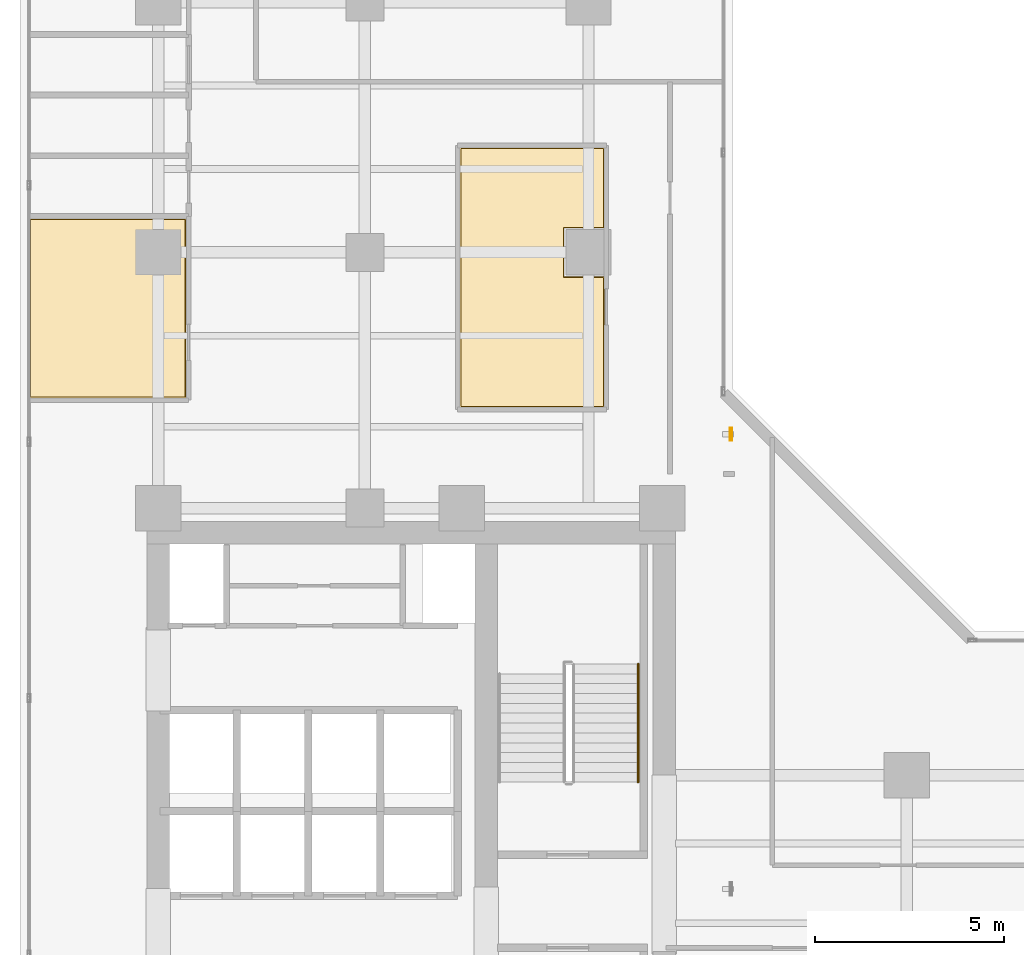
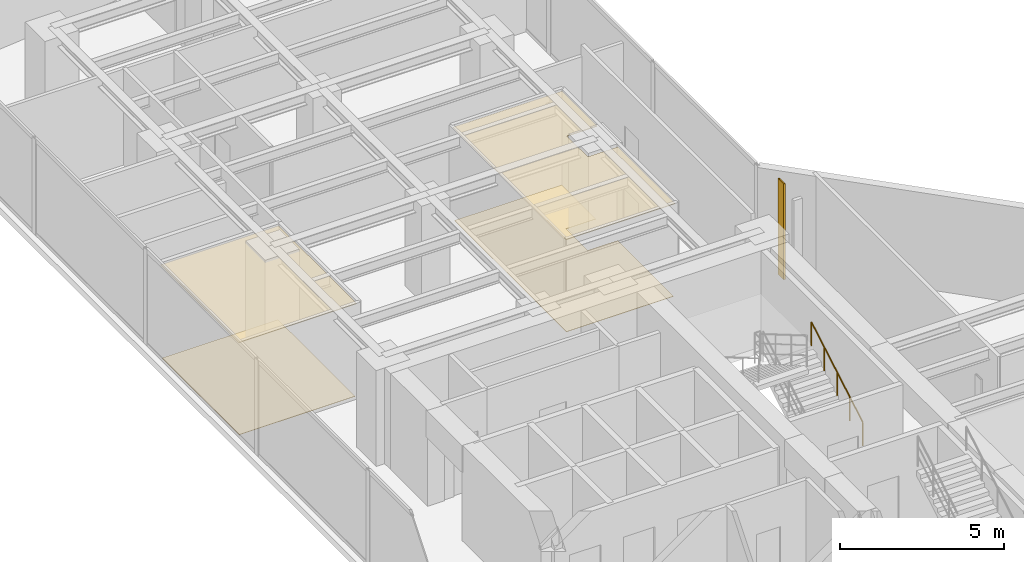
# One storey, part 24 of 26: 4 coverings, 1 railing, 1 shading device.
"""IFC4 building model written with IfcOpenShell, lengths in metres."""

from ifc_helpers import new_model, si_unit, direction, frame, origin, origin_2d, place, context, subcontext, project, spatial, polyline, hollow_rectangle, circle, outline, extrude, material, layer, layer_set, material_profile, profile_set, type_object, element, save


model = new_model("IFC4")

# Units and contexts
model_context = context("Model", 3, precision=1e-05, world=origin(), true_north=direction((0.0, 1.0)))
body_context = subcontext(model_context, "Body", "Model", "MODEL_VIEW")
ifc_project = project(units=[si_unit("LENGTHUNIT", "METRE"), si_unit("AREAUNIT", "SQUARE_METRE"), si_unit("VOLUMEUNIT", "CUBIC_METRE"), si_unit("PLANEANGLEUNIT", "RADIAN"), si_unit("MASSUNIT", "GRAM", prefix="KILO")], contexts=[model_context])

# Site, building, storey
site_placement = place(None, origin())
site = spatial("IfcSite", under=ifc_project, at=site_placement, CompositionType="ELEMENT")
building_placement = place(site_placement, origin())
building = spatial("IfcBuilding", under=site, at=building_placement, Name="Kolvaren Waterfront Exchange", CompositionType="ELEMENT")
storey_placement = place(building_placement, frame((0.0, 0.0, 180.39990234375)))
storey = spatial("IfcBuildingStorey", under=building, at=storey_placement, Name="L46", CompositionType="ELEMENT", Elevation=180.39990234375)

# Coverings
ifc_material_1 = material(Name="Mineral fibre acoustic ceiling tile")
ifc_layer_1 = layer(ifc_material_1, 0.02490234375, Name="Mineral fibre acoustic ceiling tile")
ifc_layer_set_1 = layer_set([ifc_layer_1], Name="Mineral fibre acoustic ceiling tile")
covering_type_1 = type_object("IfcCoveringType", Name="ARC-CEIL-ACOUSTIC-25", PredefinedType="CEILING", material=ifc_layer_set_1)
covering_1_placement = place(storey_placement, frame((0.0, 0.0, 3.445068359375)))
element("IfcCovering", 1, at=covering_1_placement, inside=storey, type_object=covering_type_1, Name="L46 acoustic suspended ceiling 1", PredefinedType="CEILING", context=body_context, shape_type="SweptSolid", body=[
    extrude(outline(polyline([(19.22509765625, 30.56005859375), (18.159912109375, 30.56005859375), (18.159912109375, 31.840087890625), (19.22509765625, 31.840087890625), (19.22509765625, 33.97509765625), (15.39501953125, 33.97509765625), (15.39501953125, 27.094970703125), (19.22509765625, 27.094970703125), (19.22509765625, 30.56005859375)])), origin(), (0.0, 0.0, 1.0), 0.025146484375),
])
covering_2_placement = place(storey_placement, frame((0.0, 0.0, 3.445068359375)))
element("IfcCovering", 2, at=covering_2_placement, inside=storey, type_object=covering_type_1, Name="L46 acoustic suspended ceiling 2", PredefinedType="CEILING", context=body_context, shape_type="SweptSolid", body=[
    extrude(outline(polyline([(8.18505859375, 27.344970703125), (8.18505859375, 32.10498046875), (4.044921875, 32.10498046875), (4.044921875, 27.344970703125), (8.18505859375, 27.344970703125)])), origin(), (0.0, 0.0, 1.0), 0.025146484375),
])

# Shading device
ifc_material_2 = material(Name="Anodised bronze aluminium 6063-T6", Category="aluminium")
ifc_material_profile = material_profile(ifc_material_2, hollow_rectangle(XDim=0.06005859375, YDim=0.35009765625, WallThickness=0.0048828125, at=origin_2d()), Name="BRZ-FIN-350x60x5")
ifc_profile_set = profile_set([ifc_material_profile], Name="Anodised bronze aluminium 6063-T6")
shading_device_type = type_object("IfcShadingDeviceType", Name="ARC-FIN-350", PredefinedType="USERDEFINED", material=ifc_profile_set)
shading_device_placement = place(storey_placement, frame((22.56005859375, 26.39990234375, 0.0), z_axis=(0.0, 0.0, 1.0), x_axis=(1.0, 0.0, 0.0)))
element("IfcShadingDevice", 3, at=shading_device_placement, inside=storey, type_object=shading_device_type, Name="L46 anodised bronze solar shading fin FIN-L46-E2", ObjectType="SOLAR FIN", PredefinedType="USERDEFINED", context=body_context, shape_type="SweptSolid", body=[
    extrude(hollow_rectangle(XDim=0.06005859375, YDim=0.35009765625, WallThickness=0.0048828125, at=origin_2d()), origin(), (0.0, 0.0, 1.0), 3.56005859375),
])

# Coverings
ifc_material_3 = material(Name="Slip-resistant porcelain tile")
ifc_layer_2 = layer(ifc_material_3, 0.014892578125, Name="Slip-resistant porcelain tile")
ifc_layer_set_2 = layer_set([ifc_layer_2], Name="Slip-resistant porcelain tile")
covering_type_2 = type_object("IfcCoveringType", Name="ARC-FLR-PORC-15", PredefinedType="FLOORING", material=ifc_layer_set_2)
covering_3_placement = place(storey_placement, origin())
element("IfcCovering", 4, at=covering_3_placement, inside=storey, type_object=covering_type_2, Name="L46 floor finish 1", PredefinedType="FLOORING", context=body_context, shape_type="SweptSolid", body=[
    extrude(outline(polyline([(15.429931640625, 33.93994140625), (15.429931640625, 27.1298828125), (19.18994140625, 27.1298828125), (19.18994140625, 30.5400390625), (18.139892578125, 30.5400390625), (18.139892578125, 31.860107421875), (19.18994140625, 31.860107421875), (19.18994140625, 33.93994140625), (15.429931640625, 33.93994140625)])), origin(), (0.0, 0.0, 1.0), 0.01513671875),
])
covering_4_placement = place(storey_placement, origin())
element("IfcCovering", 5, at=covering_4_placement, inside=storey, type_object=covering_type_2, Name="L46 floor finish 2", PredefinedType="FLOORING", context=body_context, shape_type="SweptSolid", body=[
    extrude(outline(polyline([(4.080078125, 32.070068359375), (4.080078125, 27.3798828125), (8.14990234375, 27.3798828125), (8.14990234375, 32.070068359375), (4.080078125, 32.070068359375)])), origin(), (0.0, 0.0, 1.0), 0.01513671875),
])

# Railing
ifc_material_4 = material(Name="Stainless steel 316", Category="steel")
railing_type = type_object("IfcRailingType", Name="ARC-HANDRAIL-900", PredefinedType="HANDRAIL", material=ifc_material_4)
railing_placement = place(storey_placement, frame((20.110107421875, 17.219970703125, 0.152099609375)))
element("IfcRailing", 6, at=railing_placement, inside=storey, type_object=railing_type, Name="L46 ST2 stair handrail 1", PredefinedType="HANDRAIL", context=body_context, shape_type="SweptSolid", body=[
    extrude(circle(Radius=0.02392578125, at=origin_2d()), frame((0.0, 0.0, 0.8759765625), z_axis=(0.0, 0.86330811405, 0.504677223793), x_axis=(-1.0, 0.0, 0.0)), (0.0, 0.0, 1.0), 3.6142578125),
    extrude(circle(Radius=0.02099609375, at=origin_2d()), origin(), (0.0, 0.0, 1.0), 0.851806640625),
    extrude(circle(Radius=0.02099609375, at=origin_2d()), frame((0.0, 0.780029296875, 0.4560546875)), (0.0, 0.0, 1.0), 0.851806640625),
    extrude(circle(Radius=0.02099609375, at=origin_2d()), frame((0.0, 1.56005859375, 0.912109375)), (0.0, 0.0, 1.0), 0.851806640625),
    extrude(circle(Radius=0.02099609375, at=origin_2d()), frame((0.0, 2.340087890625, 1.367919921875)), (0.0, 0.0, 1.0), 0.851806640625),
    extrude(circle(Radius=0.02099609375, at=origin_2d()), frame((0.0, 3.1201171875, 1.823974609375)), (0.0, 0.0, 1.0), 0.851806640625),
])

save(model, "model.ifc")
